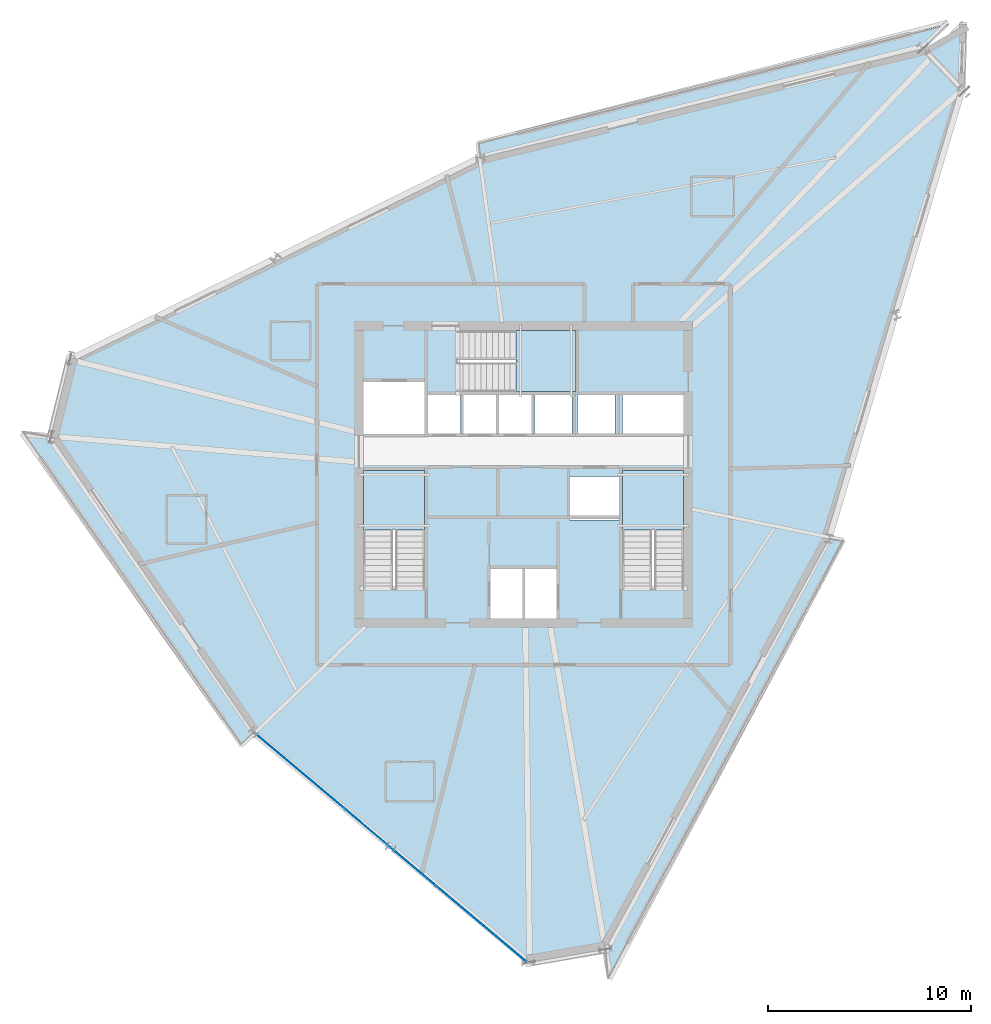
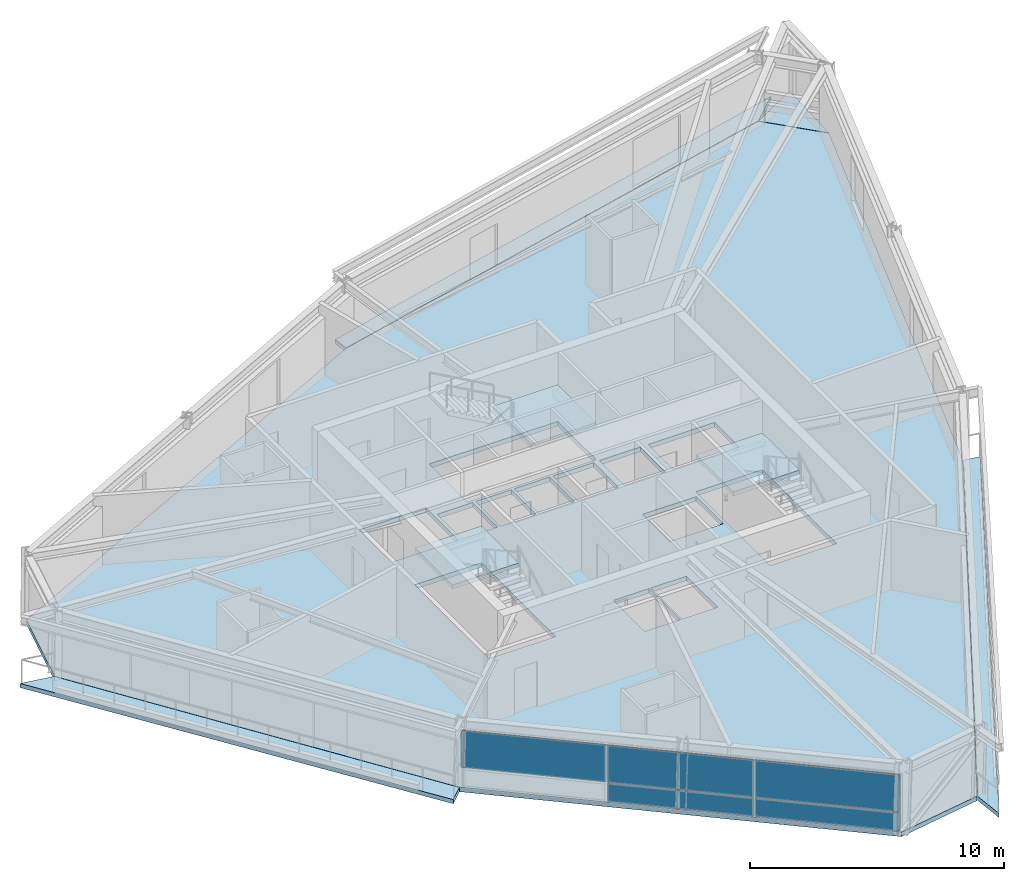
# One storey, part 5 of 14: 8 slabs, 5 plates, 4 elements without a shape of their own.
"""IFC4 building model written with IfcOpenShell, lengths in metres."""

from ifc_helpers import new_model, si_unit, direction, frame, origin, origin_2d, place, context, subcontext, project, spatial, polyline, rectangle, outline, extrude, source, transform, mapped, material, layer, layer_set, type_object, element, aggregate, save


model = new_model("IFC4")

# Units and contexts
model_context = context("Model", 3, precision=1e-05, world=origin(), true_north=direction((0.0, 1.0)))
body_context = subcontext(model_context, "Body", "Model", "MODEL_VIEW")
ifc_project = project(units=[si_unit("LENGTHUNIT", "METRE"), si_unit("AREAUNIT", "SQUARE_METRE"), si_unit("VOLUMEUNIT", "CUBIC_METRE"), si_unit("PLANEANGLEUNIT", "RADIAN"), si_unit("MASSUNIT", "GRAM", prefix="KILO")], contexts=[model_context])

# Site, building, storey
site_placement = place(None, origin())
site = spatial("IfcSite", under=ifc_project, at=site_placement, CompositionType="ELEMENT")
building_placement = place(site_placement, origin())
building = spatial("IfcBuilding", under=site, at=building_placement, Name="Olszyna Solenne Hotel", CompositionType="ELEMENT")
storey_placement = place(building_placement, frame((0.0, 0.0, 216.699951171875)))
storey = spatial("IfcBuildingStorey", under=building, at=storey_placement, Name="L57", CompositionType="ELEMENT", Elevation=216.699951171875)

# Stair, slab
ifc_material_1 = material(Name="Concrete C40/50", Category="concrete")
stair_type = type_object("IfcStairType", Name="STR-C1", PredefinedType="TWO_QUARTER_WINDING_STAIR", material=ifc_material_1)
stair_1_placement = place(storey_placement, origin())
stair_1 = element("IfcStair", 1, at=stair_1_placement, inside=storey, type_object=stair_type, Name="L57 ST1", PredefinedType="TWO_QUARTER_WINDING_STAIR")
ifc_layer_1 = layer(ifc_material_1, 0.18994140625, Name="Concrete C40/50")
ifc_layer_set_1 = layer_set([ifc_layer_1], Name="Concrete C40/50")
slab_type_1 = type_object("IfcSlabType", Name="SL-LN190", PredefinedType="LANDING", material=ifc_layer_set_1)
slab_1_placement = place(storey_placement, frame((0.0, 0.0, 1.574951171875)))
slab_1 = element("IfcSlab", 2, at=slab_1_placement, type_object=slab_type_1, Name="ST1 landing 1", PredefinedType="LANDING", context=body_context, shape_type="SweptSolid", body=[
    extrude(outline(polyline([(33.1201171875, 23.85009765625), (33.1201171875, 26.800048828125), (30.10009765625, 26.800048828125), (30.10009765625, 23.85009765625), (33.1201171875, 23.85009765625)])), origin(), (0.0, 0.0, 1.0), 0.2001953125),
])
aggregate(stair_1, [slab_1])

stair_2_placement = place(storey_placement, origin())
stair_2 = element("IfcStair", 3, at=stair_2_placement, inside=storey, type_object=stair_type, Name="L57 ST2", PredefinedType="TWO_QUARTER_WINDING_STAIR")
slab_2_placement = place(storey_placement, frame((0.0, 0.0, 1.574951171875)))
slab_2 = element("IfcSlab", 4, at=slab_2_placement, type_object=slab_type_1, Name="ST2 landing 1", PredefinedType="LANDING", context=body_context, shape_type="SweptSolid", body=[
    extrude(outline(polyline([(45.89990234375, 23.85009765625), (45.89990234375, 26.800048828125), (42.8798828125, 26.800048828125), (42.8798828125, 23.85009765625), (45.89990234375, 23.85009765625)])), origin(), (0.0, 0.0, 1.0), 0.2001953125),
])
aggregate(stair_2, [slab_2])

stair_3_placement = place(storey_placement, origin())
stair_3 = element("IfcStair", 5, at=stair_3_placement, inside=storey, type_object=stair_type, Name="L57 ST3", PredefinedType="TWO_QUARTER_WINDING_STAIR")
slab_3_placement = place(storey_placement, frame((0.0, 0.0, 1.574951171875)))
slab_3 = element("IfcSlab", 6, at=slab_3_placement, type_object=slab_type_1, Name="ST3 landing 1", PredefinedType="LANDING", context=body_context, shape_type="SweptSolid", body=[
    extrude(outline(polyline([(37.6298828125, 30.679931640625), (40.580078125, 30.679931640625), (40.580078125, 33.699951171875), (37.6298828125, 33.699951171875), (37.6298828125, 30.679931640625)])), origin(), (0.0, 0.0, 1.0), 0.2001953125),
])
aggregate(stair_3, [slab_3])

# Slabs
ifc_material_2 = material(Name="Precast concrete C45/55", Category="concrete")
ifc_layer_2 = layer(ifc_material_2, 0.199951171875, Name="Precast concrete C45/55")
ifc_layer_set_2 = layer_set([ifc_layer_2], Name="Precast concrete C45/55")
slab_type_2 = type_object("IfcSlabType", Name="SL-LOG200", PredefinedType="FLOOR", material=ifc_layer_set_2)
slab_4_placement = place(storey_placement, frame((0.0, 0.0, -0.199951171875)))
element("IfcSlab", 7, at=slab_4_placement, inside=storey, type_object=slab_type_2, Name="Exterior loggia balcony slab SL-L57-LG1", PredefinedType="FLOOR", context=body_context, shape_type="SweptSolid", body=[
    extrude(outline(polyline([(35.87353515625, 42.24072265625), (57.7275390625, 47.623046875), (57.77685546875, 47.65087890625), (59.01708984375, 48.84326171875), (35.802001953125, 42.96875), (35.87353515625, 42.24072265625)])), origin(), (0.0, 0.0, 1.0), 0.199951171875),
])
slab_5_placement = place(storey_placement, frame((0.0, 0.0, -0.199951171875)))
element("IfcSlab", 8, at=slab_5_placement, inside=storey, type_object=slab_type_2, Name="Exterior loggia balcony slab SL-L57-LG2", PredefinedType="FLOOR", context=body_context, shape_type="SweptSolid", body=[
    extrude(outline(polyline([(24.6591796875, 13.870849609375), (24.658447265625, 13.87158203125), (24.65771484375, 13.872802734375), (14.6533203125, 28.44775390625), (14.652587890625, 28.448974609375), (14.652099609375, 28.4501953125), (14.651611328125, 28.45166015625), (14.651123046875, 28.452880859375), (14.65087890625, 28.454345703125), (14.65087890625, 28.455810546875), (14.65087890625, 28.45703125), (14.65087890625, 28.45849609375), (14.65087890625, 28.458984375), (13.236083984375, 28.7080078125), (24.028076171875, 13.26416015625), (24.6591796875, 13.870849609375)])), origin(), (0.0, 0.0, 1.0), 0.199951171875),
])
slab_6_placement = place(storey_placement, frame((0.0, 0.0, -0.199951171875)))
element("IfcSlab", 9, at=slab_6_placement, inside=storey, type_object=slab_type_2, Name="Exterior loggia balcony slab SL-L57-LG3", PredefinedType="FLOOR", context=body_context, shape_type="SweptSolid", body=[
    extrude(outline(polyline([(53.09228515625, 23.4111328125), (53.091796875, 23.409423828125), (53.091064453125, 23.407958984375), (53.090576171875, 23.406494140625), (42.038818359375, 3.153564453125), (42.0380859375, 3.152099609375), (42.037109375, 3.15087890625), (42.0361328125, 3.14990234375), (42.034912109375, 3.14892578125), (42.03369140625, 3.148193359375), (42.032470703125, 3.147216796875), (42.031005859375, 3.146728515625), (42.02978515625, 3.146240234375), (42.0283203125, 3.14599609375), (42.027099609375, 3.145751953125), (42.171630859375, 1.6748046875), (53.792236328125, 23.287841796875), (53.09228515625, 23.4111328125)])), origin(), (0.0, 0.0, 1.0), 0.199951171875),
])
ifc_material_3 = material(Name="Concrete C50/60", Category="concrete")
ifc_layer_3 = layer(ifc_material_3, 0.219970703125, Name="Concrete C50/60")
ifc_layer_set_3 = layer_set([ifc_layer_3], Name="Concrete C50/60")
slab_type_3 = type_object("IfcSlabType", Name="SL-TW225", PredefinedType="FLOOR", material=ifc_layer_set_3)
slab_7_placement = place(storey_placement, frame((0.0, 0.0, -0.219970703125)))
element("IfcSlab", 10, at=slab_7_placement, inside=storey, type_object=slab_type_3, Name="Floor slab SL-TW225 SL-L57-01", PredefinedType="FLOOR", context=body_context, shape_type="SweptSolid", body=[
    extrude(outline(polyline([(59.73828125, 45.50341796875), (57.733154296875, 47.60888671875), (35.875, 42.2255859375), (15.63720703125, 32.367431640625), (14.665771484375, 28.456298828125), (24.669921875, 13.88134765625), (38.19970703125, 2.50341796875), (42.025634765625, 3.16064453125), (53.077392578125, 23.413818359375), (59.73828125, 45.50341796875)]), holes=[polyline([(30.10009765625, 20.949951171875), (33.1201171875, 20.949951171875), (33.1201171875, 26.800048828125), (30.10009765625, 26.800048828125), (30.10009765625, 20.949951171875)]), polyline([(42.8798828125, 20.949951171875), (45.89990234375, 20.949951171875), (45.89990234375, 26.800048828125), (42.8798828125, 26.800048828125), (42.8798828125, 20.949951171875)]), polyline([(34.72998046875, 30.679931640625), (40.580078125, 30.679931640625), (40.580078125, 33.699951171875), (34.72998046875, 33.699951171875), (34.72998046875, 30.679931640625)]), polyline([(36.340087890625, 19.5), (37.9599609375, 19.5), (37.9599609375, 21.9599609375), (36.340087890625, 21.9599609375), (36.340087890625, 19.5)]), polyline([(38.0400390625, 19.5), (39.659912109375, 19.5), (39.659912109375, 21.9599609375), (38.0400390625, 21.9599609375), (38.0400390625, 19.5)]), polyline([(30.10009765625, 28.60009765625), (33.1201171875, 28.60009765625), (33.1201171875, 31.159912109375), (30.10009765625, 31.159912109375), (30.10009765625, 28.60009765625)]), polyline([(40.280029296875, 24.360107421875), (42.719970703125, 24.360107421875), (42.719970703125, 26.5), (40.280029296875, 26.5), (40.280029296875, 24.360107421875)]), polyline([(33.280029296875, 28.60009765625), (34.89990234375, 28.60009765625), (34.89990234375, 30.550048828125), (33.280029296875, 30.550048828125), (33.280029296875, 28.60009765625)]), polyline([(35.030029296875, 28.60009765625), (36.64990234375, 28.60009765625), (36.64990234375, 30.550048828125), (35.030029296875, 30.550048828125), (35.030029296875, 28.60009765625)]), polyline([(36.780029296875, 28.60009765625), (38.39990234375, 28.60009765625), (38.39990234375, 30.550048828125), (36.780029296875, 30.550048828125), (36.780029296875, 28.60009765625)]), polyline([(38.530029296875, 28.60009765625), (40.389892578125, 28.60009765625), (40.389892578125, 30.550048828125), (38.530029296875, 30.550048828125), (38.530029296875, 28.60009765625)]), polyline([(40.659912109375, 28.60009765625), (42.52001953125, 28.60009765625), (42.52001953125, 30.550048828125), (40.659912109375, 30.550048828125), (40.659912109375, 28.60009765625)]), polyline([(42.8798828125, 28.60009765625), (45.89990234375, 28.60009765625), (45.89990234375, 30.550048828125), (42.8798828125, 30.550048828125), (42.8798828125, 28.60009765625)])]), origin(), (0.0, 0.0, 1.0), 0.219970703125),
])
slab_8_placement = place(storey_placement, frame((0.0, 0.0, -0.219970703125)))
element("IfcSlab", 11, at=slab_8_placement, inside=storey, type_object=slab_type_3, Name="Faceted glass-prism floor slab SL-L57-PR", PredefinedType="FLOOR", context=body_context, shape_type="SweptSolid", body=[
    extrude(outline(polyline([(57.7421875, 47.614013671875), (59.73876953125, 45.517333984375), (59.84033203125, 48.803955078125), (57.7421875, 47.614013671875)])), origin(), (0.0, 0.0, 1.0), 0.219970703125),
])

# Curtain wall, plates
ifc_material_4 = material(Name="Anodised bronze aluminium", Category="aluminium")
curtain_wall_type = type_object("IfcCurtainWallType", Name="CW-SYS-4", PredefinedType="NOTDEFINED", material=ifc_material_4)
curtain_wall_placement = place(storey_placement, origin())
curtain_wall = element("IfcCurtainWall", 12, at=curtain_wall_placement, inside=storey, type_object=curtain_wall_type, Name="Unitised curtain wall CW-SYS-4 CW-L57-01", PredefinedType="NOTDEFINED")
ifc_material_5 = material(Name="Terracotta cladding", Category="masonry")
plate_type_1 = type_object("IfcPlateType", Name="PN-SP1", PredefinedType="CURTAIN_PANEL", material=ifc_material_5)
shared_shape_1 = source(origin(), body_context, "Body", "SweptSolid", [
    extrude(rectangle(XDim=5.795166015625, YDim=0.035888671875, at=origin_2d()), origin(), (0.0, 0.0, 1.0), 0.8525390625),
])
plate_1_placement = place(storey_placement, frame((35.932373046875, 4.41015625, 0.06494140625), z_axis=(0.0, 0.0, 1.0), x_axis=(0.76534346718, -0.643622076412, 0.0)))
plate_1 = element("IfcPlate", 13, at=plate_1_placement, type_object=plate_type_1, Name="Curtain-wall panel PN-SP1 CP-L57-01-05", PredefinedType="CURTAIN_PANEL", context=body_context, shape_type="MappedRepresentation", body=[
    mapped(shared_shape_1, transform((0.0, 0.0, 0.0), x_axis=(1.0, 0.0, 0.0), y_axis=(0.0, 1.0, 0.0), z_axis=(0.0, 0.0, 1.0), scale=1.0)),
])
ifc_material_6 = material(Name="Low-E triple glazing", Category="glass")
plate_type_2 = type_object("IfcPlateType", Name="PN-GL1", PredefinedType="CURTAIN_PANEL", material=ifc_material_6)
shared_shape_2 = source(origin(), body_context, "Body", "SweptSolid", [
    extrude(rectangle(XDim=5.795166015625, YDim=0.035888671875, at=origin_2d()), origin(), (0.0, 0.0, 1.0), 1.7744140625),
])
plate_2_placement = place(storey_placement, frame((26.9375, 11.974609375, 0.982666015625), z_axis=(0.0, 0.0, 1.0), x_axis=(0.76534346718, -0.643622076412, 0.0)))
plate_2 = element("IfcPlate", 14, at=plate_2_placement, type_object=plate_type_2, Name="Curtain-wall panel PN-GL1 CP-L57-01-02", PredefinedType="CURTAIN_PANEL", context=body_context, shape_type="MappedRepresentation", body=[
    mapped(shared_shape_2, transform((0.0, 0.0, 0.0), x_axis=(1.0, 0.0, 0.0), y_axis=(0.0, 1.0, 0.0), z_axis=(0.0, 0.0, 1.0), scale=1.0)),
])
plate_3_placement = place(storey_placement, frame((35.932373046875, 4.41015625, 0.982666015625), z_axis=(0.0, 0.0, 1.0), x_axis=(0.76534346718, -0.643622076412, 0.0)))
plate_3 = element("IfcPlate", 15, at=plate_3_placement, type_object=plate_type_2, Name="Curtain-wall panel PN-GL1 CP-L57-01-06", PredefinedType="CURTAIN_PANEL", context=body_context, shape_type="MappedRepresentation", body=[
    mapped(shared_shape_2, transform((0.0, 0.0, 0.0), x_axis=(1.0, 0.0, 0.0), y_axis=(0.0, 1.0, 0.0), z_axis=(0.0, 0.0, 1.0), scale=1.0)),
])
shared_shape_3 = source(origin(), body_context, "Body", "SweptSolid", [
    extrude(rectangle(XDim=5.82763671875, YDim=0.035888671875, at=origin_2d()), origin(), (0.0, 0.0, 1.0), 0.8525390625),
])
plate_4_placement = place(storey_placement, frame((31.434814453125, 8.1923828125, 0.06494140625), z_axis=(0.0, 0.0, 1.0), x_axis=(0.76534346718, -0.643622076412, 0.0)))
plate_4 = element("IfcPlate", 16, at=plate_4_placement, type_object=plate_type_1, Name="Curtain-wall panel PN-SP1 CP-L57-01-03", PredefinedType="CURTAIN_PANEL", context=body_context, shape_type="MappedRepresentation", body=[
    mapped(shared_shape_3, transform((0.0, 0.0, 0.0), x_axis=(1.0, 0.0, 0.0), y_axis=(0.0, 1.0, 0.0), z_axis=(0.0, 0.0, 1.0), scale=1.0)),
])
shared_shape_4 = source(origin(), body_context, "Body", "SweptSolid", [
    extrude(rectangle(XDim=5.82763671875, YDim=0.035888671875, at=origin_2d()), origin(), (0.0, 0.0, 1.0), 1.7744140625),
])
plate_5_placement = place(storey_placement, frame((31.434814453125, 8.1923828125, 0.982666015625), z_axis=(0.0, 0.0, 1.0), x_axis=(0.76534346718, -0.643622076412, 0.0)))
plate_5 = element("IfcPlate", 17, at=plate_5_placement, type_object=plate_type_2, Name="Curtain-wall panel PN-GL1 CP-L57-01-04", PredefinedType="CURTAIN_PANEL", context=body_context, shape_type="MappedRepresentation", body=[
    mapped(shared_shape_4, transform((0.0, 0.0, 0.0), x_axis=(1.0, 0.0, 0.0), y_axis=(0.0, 1.0, 0.0), z_axis=(0.0, 0.0, 1.0), scale=1.0)),
])
aggregate(curtain_wall, [plate_2, plate_4, plate_5, plate_1, plate_3])

save(model, "model.ifc")
